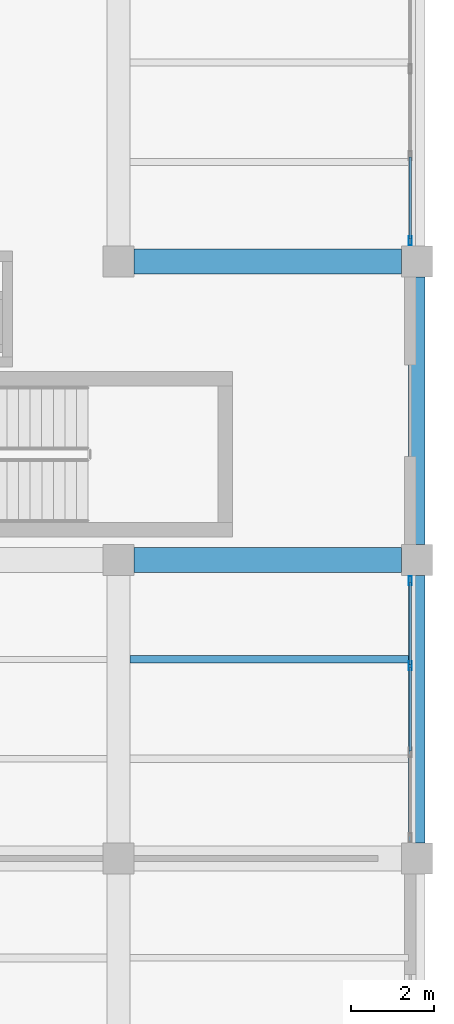
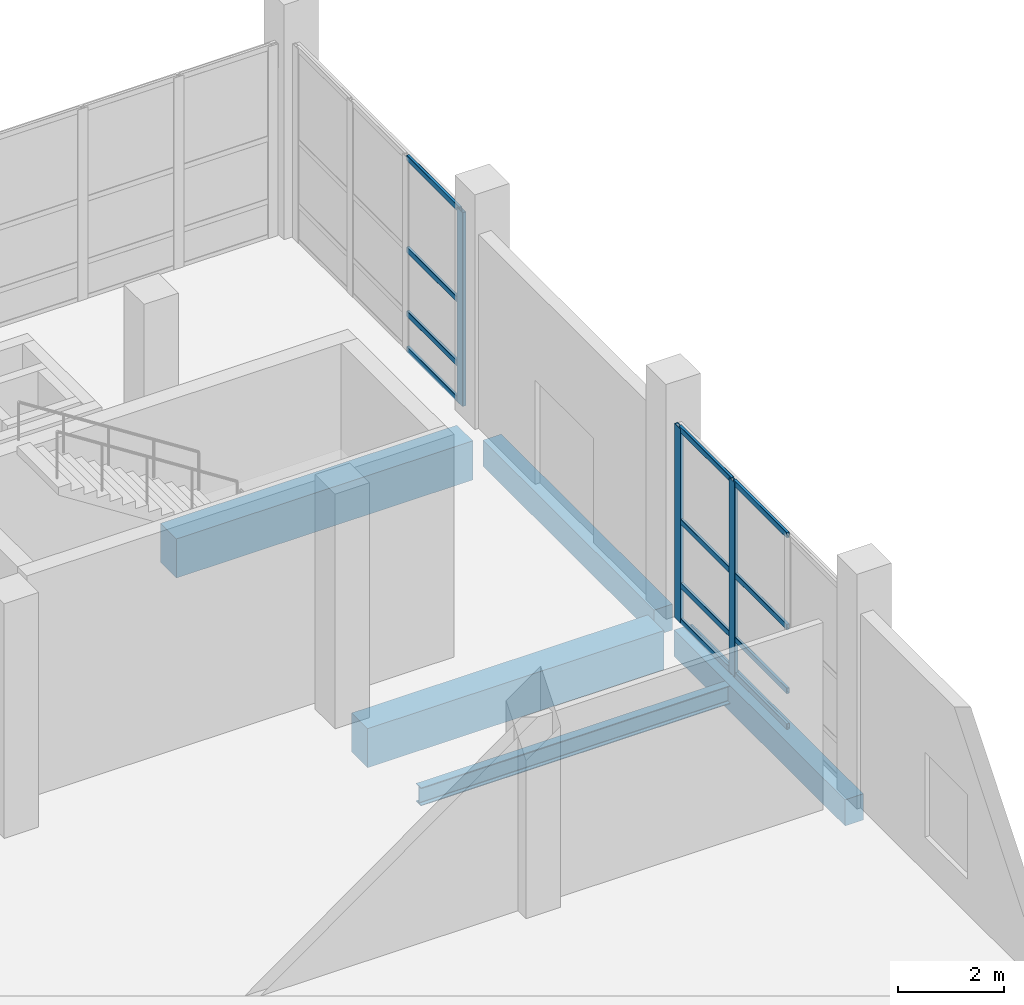
# One storey, part 79 of 137: 15 members, 5 beams, 2 elements without a shape of their own.
"""IFC4 building model written with IfcOpenShell, lengths in metres."""

from ifc_helpers import new_model, si_unit, direction, frame, origin, origin_2d, place, context, subcontext, project, spatial, rectangle, hollow_rectangle, i_section, extrude, material, material_profile, profile_set, type_object, element, aggregate, save


model = new_model("IFC4")

# Units and contexts
model_context = context("Model", 3, precision=1e-05, world=origin(), true_north=direction((0.0, 1.0)))
body_context = subcontext(model_context, "Body", "Model", "MODEL_VIEW")
ifc_project = project(units=[si_unit("LENGTHUNIT", "METRE"), si_unit("AREAUNIT", "SQUARE_METRE"), si_unit("VOLUMEUNIT", "CUBIC_METRE"), si_unit("PLANEANGLEUNIT", "RADIAN"), si_unit("MASSUNIT", "GRAM", prefix="KILO")], contexts=[model_context])

# Site, building, storey
site_placement = place(None, origin())
site = spatial("IfcSite", under=ifc_project, at=site_placement, CompositionType="ELEMENT")
building_placement = place(site_placement, origin())
building = spatial("IfcBuilding", under=site, at=building_placement, Name="Kalmorath City Hall", CompositionType="ELEMENT")
storey_placement = place(building_placement, origin())
storey = spatial("IfcBuildingStorey", under=building, at=storey_placement, Name="L00", CompositionType="ELEMENT", Elevation=0.0)

# Beams
ifc_material_1 = material(Name="Concrete C40/50", Category="concrete")
ifc_material_profile_1 = material_profile(ifc_material_1, rectangle(XDim=0.39990234375, YDim=0.60009765625, at=origin_2d()), Name="RC-BM-400X600")
ifc_profile_set_1 = profile_set([ifc_material_profile_1], Name="Concrete C40/50")
beam_type_1 = type_object("IfcBeamType", Name="Concrete edge beam 400x600", PredefinedType="SPANDREL", material=ifc_profile_set_1)
beam_1_placement = place(storey_placement, frame((165.60009765625, 79.574951171875, -0.60400390625), z_axis=(0.0, 1.0, 0.0), x_axis=(-1.0, 0.0, 0.0)))
element("IfcBeam", 1, at=beam_1_placement, inside=storey, type_object=beam_type_1, Name="L00 girder CB6 Y24/12-13", PredefinedType="SPANDREL", context=body_context, shape_type="SweptSolid", body=[
    extrude(rectangle(XDim=0.39990234375, YDim=0.60009765625, at=origin_2d()), origin(), (0.0, 0.0, 1.0), 6.449951171875),
])
beam_2_placement = place(storey_placement, frame((165.60009765625, 86.77490234375, -0.60400390625), z_axis=(0.0, 1.0, 0.0), x_axis=(-1.0, 0.0, 0.0)))
element("IfcBeam", 2, at=beam_2_placement, inside=storey, type_object=beam_type_1, Name="L00 girder CB6 Y24/13-14", PredefinedType="SPANDREL", context=body_context, shape_type="SweptSolid", body=[
    extrude(rectangle(XDim=0.39990234375, YDim=0.60009765625, at=origin_2d()), origin(), (0.0, 0.0, 1.0), 6.4501953125),
])
ifc_material_2 = material(Name="Concrete C40/50", Category="concrete")
ifc_material_profile_2 = material_profile(ifc_material_2, rectangle(XDim=0.60009765625, YDim=0.89990234375, at=origin_2d()), Name="RC-BM-600X900")
ifc_profile_set_2 = profile_set([ifc_material_profile_2], Name="Concrete C40/50")
beam_type_2 = type_object("IfcBeamType", Name="Concrete floor girder 600x900", PredefinedType="BEAM", material=ifc_profile_set_2)
for number, where, z_axis, x_axis, name in (
    (3, (158.77490234375, 86.39990234375, -0.75390625), (1.0, 0.0, 0.0), (0.0, 1.0, 0.0), "L00 girder CB1 X23-24/13"),
    (4, (158.77490234375, 93.60009765625, -0.75390625), (1.0, 0.0, 0.0), (0.0, 1.0, 0.0), "L00 girder CB1 X23-24/14"),
):
    element("IfcBeam", number, at=place(storey_placement, frame(where, z_axis=z_axis, x_axis=x_axis)), inside=storey, type_object=beam_type_2, Name=name, PredefinedType="BEAM", context=body_context, shape_type="SweptSolid", body=[
        extrude(rectangle(XDim=0.60009765625, YDim=0.89990234375, at=origin_2d()), origin(), (0.0, 0.0, 1.0), 6.4501953125),
    ])

# Curtain wall, members
ifc_material_3 = material(Name="Anodised aluminium and laminated glass", Category="aluminium")
curtain_wall_type = type_object("IfcCurtainWallType", Name="Unitised hurricane curtain wall 6270x4461 M1850", PredefinedType="NOTDEFINED", material=ifc_material_3)
curtain_wall_1_placement = place(storey_placement, origin())
curtain_wall_1 = element("IfcCurtainWall", 5, at=curtain_wall_1_placement, inside=storey, type_object=curtain_wall_type, Name="L00 curtain wall CW-63X45M18 #5", PredefinedType="NOTDEFINED")
ifc_material_4 = material(Name="Anodised aluminium framing", Category="aluminium")
ifc_material_profile_3 = material_profile(ifc_material_4, hollow_rectangle(XDim=0.06005859375, YDim=0.1298828125, WallThickness=0.00341796875, InnerFilletRadius=0.00341796875, OuterFilletRadius=0.007080078125, at=origin_2d()), Name="ALU-TRN-130X60X3.5")
ifc_profile_set_3 = profile_set([ifc_material_profile_3], Name="Anodised aluminium framing")
member_type_1 = type_object("IfcMemberType", Name="Curtain-wall courtyard transom 130x60", PredefinedType="USERDEFINED", material=ifc_profile_set_3)
member_1_placement = place(storey_placement, frame((165.43994140625, 96.117431640625, 0.030029296875), z_axis=(0.0, -1.0, 0.0), x_axis=(1.0, 0.0, 0.0)))
member_1 = element("IfcMember", 6, at=member_1_placement, type_object=member_type_1, Name="CW-63X45M18 transom 3.1", ObjectType="TRANSOM", PredefinedType="USERDEFINED", context=body_context, shape_type="SweptSolid", body=[
    extrude(hollow_rectangle(XDim=0.06005859375, YDim=0.1298828125, WallThickness=0.00341796875, InnerFilletRadius=0.00341796875, OuterFilletRadius=0.007080078125, at=origin_2d()), origin(), (0.0, 0.0, 1.0), 1.9775390625),
])
member_2_placement = place(storey_placement, frame((165.43994140625, 96.117431640625, 0.85009765625), z_axis=(0.0, -1.0, 0.0), x_axis=(1.0, 0.0, 0.0)))
member_2 = element("IfcMember", 7, at=member_2_placement, type_object=member_type_1, Name="CW-63X45M18 transom 3.2", ObjectType="TRANSOM", PredefinedType="USERDEFINED", context=body_context, shape_type="SweptSolid", body=[
    extrude(hollow_rectangle(XDim=0.06005859375, YDim=0.1298828125, WallThickness=0.00341796875, InnerFilletRadius=0.00341796875, OuterFilletRadius=0.007080078125, at=origin_2d()), origin(), (0.0, 0.0, 1.0), 1.9775390625),
])
member_3_placement = place(storey_placement, frame((165.43994140625, 96.117431640625, 2.320068359375), z_axis=(0.0, -1.0, 0.0), x_axis=(1.0, 0.0, 0.0)))
member_3 = element("IfcMember", 8, at=member_3_placement, type_object=member_type_1, Name="CW-63X45M18 transom 3.3", ObjectType="TRANSOM", PredefinedType="USERDEFINED", context=body_context, shape_type="SweptSolid", body=[
    extrude(hollow_rectangle(XDim=0.06005859375, YDim=0.1298828125, WallThickness=0.00341796875, InnerFilletRadius=0.00341796875, OuterFilletRadius=0.007080078125, at=origin_2d()), origin(), (0.0, 0.0, 1.0), 1.9775390625),
])
member_4_placement = place(storey_placement, frame((165.43994140625, 96.117431640625, 4.430908203125), z_axis=(0.0, -1.0, 0.0), x_axis=(1.0, 0.0, 0.0)))
member_4 = element("IfcMember", 9, at=member_4_placement, type_object=member_type_1, Name="CW-63X45M18 transom 3.4", ObjectType="TRANSOM", PredefinedType="USERDEFINED", context=body_context, shape_type="SweptSolid", body=[
    extrude(hollow_rectangle(XDim=0.06005859375, YDim=0.1298828125, WallThickness=0.00341796875, InnerFilletRadius=0.00341796875, OuterFilletRadius=0.007080078125, at=origin_2d()), origin(), (0.0, 0.0, 1.0), 1.9775390625),
])

curtain_wall_2_placement = place(storey_placement, origin())
curtain_wall_2 = element("IfcCurtainWall", 10, at=curtain_wall_2_placement, inside=storey, type_object=curtain_wall_type, Name="L00 curtain wall CW-63X45M18 #6", PredefinedType="NOTDEFINED")
member_5_placement = place(storey_placement, frame((165.43994140625, 85.860107421875, 0.030029296875), z_axis=(0.0, -1.0, 0.0), x_axis=(1.0, 0.0, 0.0)))
member_5 = element("IfcMember", 11, at=member_5_placement, type_object=member_type_1, Name="CW-63X45M18 transom 1.1", ObjectType="TRANSOM", PredefinedType="USERDEFINED", context=body_context, shape_type="SweptSolid", body=[
    extrude(hollow_rectangle(XDim=0.06005859375, YDim=0.1298828125, WallThickness=0.00341796875, InnerFilletRadius=0.00341796875, OuterFilletRadius=0.007080078125, at=origin_2d()), origin(), (0.0, 0.0, 1.0), 1.9775390625),
])
member_6_placement = place(storey_placement, frame((165.43994140625, 85.860107421875, 0.85009765625), z_axis=(0.0, -1.0, 0.0), x_axis=(1.0, 0.0, 0.0)))
member_6 = element("IfcMember", 12, at=member_6_placement, type_object=member_type_1, Name="CW-63X45M18 transom 1.2", ObjectType="TRANSOM", PredefinedType="USERDEFINED", context=body_context, shape_type="SweptSolid", body=[
    extrude(hollow_rectangle(XDim=0.06005859375, YDim=0.1298828125, WallThickness=0.00341796875, InnerFilletRadius=0.00341796875, OuterFilletRadius=0.007080078125, at=origin_2d()), origin(), (0.0, 0.0, 1.0), 1.9775390625),
])
member_7_placement = place(storey_placement, frame((165.43994140625, 85.860107421875, 2.320068359375), z_axis=(0.0, -1.0, 0.0), x_axis=(1.0, 0.0, 0.0)))
member_7 = element("IfcMember", 13, at=member_7_placement, type_object=member_type_1, Name="CW-63X45M18 transom 1.3", ObjectType="TRANSOM", PredefinedType="USERDEFINED", context=body_context, shape_type="SweptSolid", body=[
    extrude(hollow_rectangle(XDim=0.06005859375, YDim=0.1298828125, WallThickness=0.00341796875, InnerFilletRadius=0.00341796875, OuterFilletRadius=0.007080078125, at=origin_2d()), origin(), (0.0, 0.0, 1.0), 1.9775390625),
])
member_8_placement = place(storey_placement, frame((165.43994140625, 85.860107421875, 4.430908203125), z_axis=(0.0, -1.0, 0.0), x_axis=(1.0, 0.0, 0.0)))
member_8 = element("IfcMember", 14, at=member_8_placement, type_object=member_type_1, Name="CW-63X45M18 transom 1.4", ObjectType="TRANSOM", PredefinedType="USERDEFINED", context=body_context, shape_type="SweptSolid", body=[
    extrude(hollow_rectangle(XDim=0.06005859375, YDim=0.1298828125, WallThickness=0.00341796875, InnerFilletRadius=0.00341796875, OuterFilletRadius=0.007080078125, at=origin_2d()), origin(), (0.0, 0.0, 1.0), 1.9775390625),
])
member_9_placement = place(storey_placement, frame((165.43994140625, 83.8076171875, 0.030029296875), z_axis=(0.0, -1.0, 0.0), x_axis=(1.0, 0.0, 0.0)))
member_9 = element("IfcMember", 15, at=member_9_placement, type_object=member_type_1, Name="CW-63X45M18 transom 2.1", ObjectType="TRANSOM", PredefinedType="USERDEFINED", context=body_context, shape_type="SweptSolid", body=[
    extrude(hollow_rectangle(XDim=0.06005859375, YDim=0.1298828125, WallThickness=0.00341796875, InnerFilletRadius=0.00341796875, OuterFilletRadius=0.007080078125, at=origin_2d()), origin(), (0.0, 0.0, 1.0), 2.01513671875),
])
member_10_placement = place(storey_placement, frame((165.43994140625, 83.8076171875, 0.85009765625), z_axis=(0.0, -1.0, 0.0), x_axis=(1.0, 0.0, 0.0)))
member_10 = element("IfcMember", 16, at=member_10_placement, type_object=member_type_1, Name="CW-63X45M18 transom 2.2", ObjectType="TRANSOM", PredefinedType="USERDEFINED", context=body_context, shape_type="SweptSolid", body=[
    extrude(hollow_rectangle(XDim=0.06005859375, YDim=0.1298828125, WallThickness=0.00341796875, InnerFilletRadius=0.00341796875, OuterFilletRadius=0.007080078125, at=origin_2d()), origin(), (0.0, 0.0, 1.0), 2.01513671875),
])
member_11_placement = place(storey_placement, frame((165.43994140625, 83.8076171875, 2.320068359375), z_axis=(0.0, -1.0, 0.0), x_axis=(1.0, 0.0, 0.0)))
member_11 = element("IfcMember", 17, at=member_11_placement, type_object=member_type_1, Name="CW-63X45M18 transom 2.3", ObjectType="TRANSOM", PredefinedType="USERDEFINED", context=body_context, shape_type="SweptSolid", body=[
    extrude(hollow_rectangle(XDim=0.06005859375, YDim=0.1298828125, WallThickness=0.00341796875, InnerFilletRadius=0.00341796875, OuterFilletRadius=0.007080078125, at=origin_2d()), origin(), (0.0, 0.0, 1.0), 2.01513671875),
])
member_12_placement = place(storey_placement, frame((165.43994140625, 83.8076171875, 4.430908203125), z_axis=(0.0, -1.0, 0.0), x_axis=(1.0, 0.0, 0.0)))
member_12 = element("IfcMember", 18, at=member_12_placement, type_object=member_type_1, Name="CW-63X45M18 transom 2.4", ObjectType="TRANSOM", PredefinedType="USERDEFINED", context=body_context, shape_type="SweptSolid", body=[
    extrude(hollow_rectangle(XDim=0.06005859375, YDim=0.1298828125, WallThickness=0.00341796875, InnerFilletRadius=0.00341796875, OuterFilletRadius=0.007080078125, at=origin_2d()), origin(), (0.0, 0.0, 1.0), 2.01513671875),
])

# Member
ifc_material_5 = material(Name="Anodised aluminium framing", Category="aluminium")
ifc_material_profile_4 = material_profile(ifc_material_5, hollow_rectangle(XDim=0.074951171875, YDim=0.219970703125, WallThickness=0.00390625, InnerFilletRadius=0.00390625, OuterFilletRadius=0.008056640625, at=origin_2d()), Name="ALU-MUL-220X75X4")
ifc_profile_set_4 = profile_set([ifc_material_profile_4], Name="Anodised aluminium framing")
member_type_2 = type_object("IfcMemberType", Name="Curtain-wall primary mullion 220x75", PredefinedType="MULLION", material=ifc_profile_set_4)
member_13_placement = place(storey_placement, frame((165.43994140625, 94.1025390625, 0.0), z_axis=(0.0, 0.0, 1.0), x_axis=(1.0, 0.0, 0.0)))
member_13 = element("IfcMember", 19, at=member_13_placement, type_object=member_type_2, Name="CW-63X45M18 mullion 4", PredefinedType="MULLION", context=body_context, shape_type="SweptSolid", body=[
    extrude(hollow_rectangle(XDim=0.074951171875, YDim=0.219970703125, WallThickness=0.00390625, InnerFilletRadius=0.00390625, OuterFilletRadius=0.008056640625, at=origin_2d()), origin(), (0.0, 0.0, 1.0), 4.4609375),
])

aggregate(curtain_wall_1, [member_13, member_1, member_2, member_3, member_4])

member_14_placement = place(storey_placement, frame((165.43994140625, 85.8974609375, 0.0), z_axis=(0.0, 0.0, 1.0), x_axis=(1.0, 0.0, 0.0)))
member_14 = element("IfcMember", 20, at=member_14_placement, type_object=member_type_2, Name="CW-63X45M18 mullion 1", PredefinedType="MULLION", context=body_context, shape_type="SweptSolid", body=[
    extrude(hollow_rectangle(XDim=0.074951171875, YDim=0.219970703125, WallThickness=0.00390625, InnerFilletRadius=0.00390625, OuterFilletRadius=0.008056640625, at=origin_2d()), origin(), (0.0, 0.0, 1.0), 4.4609375),
])

member_15_placement = place(storey_placement, frame((165.43994140625, 83.844970703125, 0.0), z_axis=(0.0, 0.0, 1.0), x_axis=(1.0, 0.0, 0.0)))
member_15 = element("IfcMember", 21, at=member_15_placement, type_object=member_type_2, Name="CW-63X45M18 mullion 2", PredefinedType="MULLION", context=body_context, shape_type="SweptSolid", body=[
    extrude(hollow_rectangle(XDim=0.074951171875, YDim=0.219970703125, WallThickness=0.00390625, InnerFilletRadius=0.00390625, OuterFilletRadius=0.008056640625, at=origin_2d()), origin(), (0.0, 0.0, 1.0), 4.4609375),
])

aggregate(curtain_wall_2, [member_14, member_15, member_5, member_6, member_7, member_8, member_9, member_10, member_11, member_12])

# Beam
ifc_material_6 = material(Name="Steel ASTM A992 Grade 50", Category="steel")
ifc_material_profile_5 = material_profile(ifc_material_6, i_section(OverallWidth=0.180908203125, OverallDepth=0.4169921875, WebThickness=0.010986328125, FlangeThickness=0.018310546875, FilletRadius=0.012939453125, at=origin_2d()), Name="W16X57")
ifc_profile_set_5 = profile_set([ifc_material_profile_5], Name="Steel ASTM A992 Grade 50")
beam_type_3 = type_object("IfcBeamType", Name="Steel composite joist W16X57", PredefinedType="JOIST", material=ifc_profile_set_5)
beam_3_placement = place(storey_placement, frame((158.675048828125, 84.0, -0.512451171875), z_axis=(1.0, 0.0, 0.0), x_axis=(0.0, 1.0, 0.0)))
element("IfcBeam", 22, at=beam_3_placement, inside=storey, type_object=beam_type_3, Name="L00 joist SJ5 23.12.2", PredefinedType="JOIST", context=body_context, shape_type="SweptSolid", body=[
    extrude(i_section(OverallWidth=0.180908203125, OverallDepth=0.4169921875, WebThickness=0.010986328125, FlangeThickness=0.018310546875, FilletRadius=0.012939453125, at=origin_2d()), origin(), (0.0, 0.0, 1.0), 6.724853515625),
])

save(model, "model.ifc")
